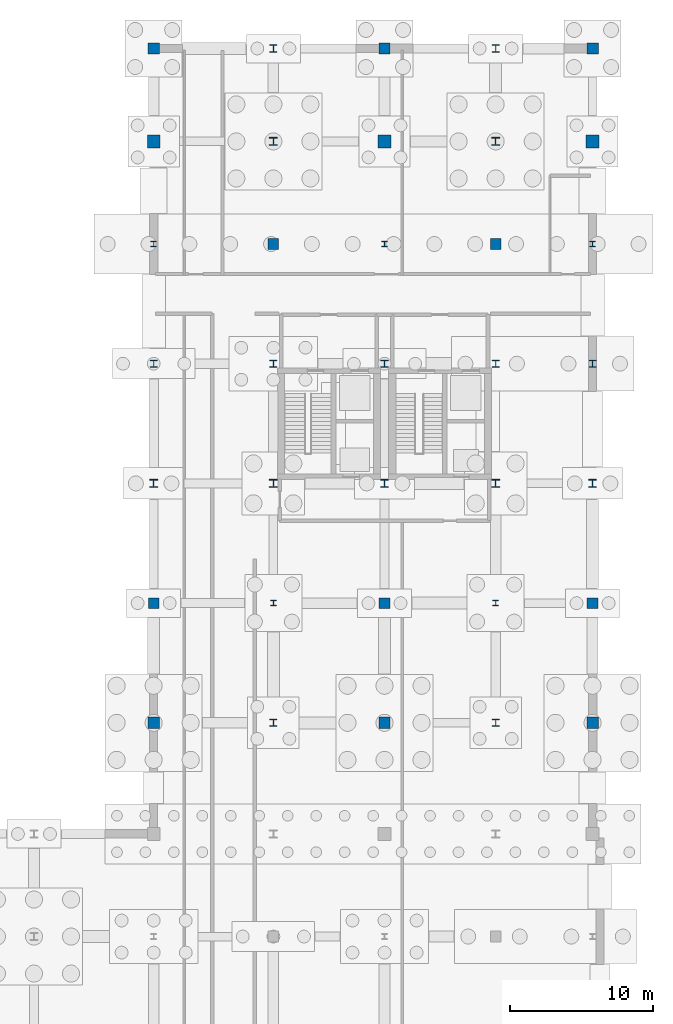
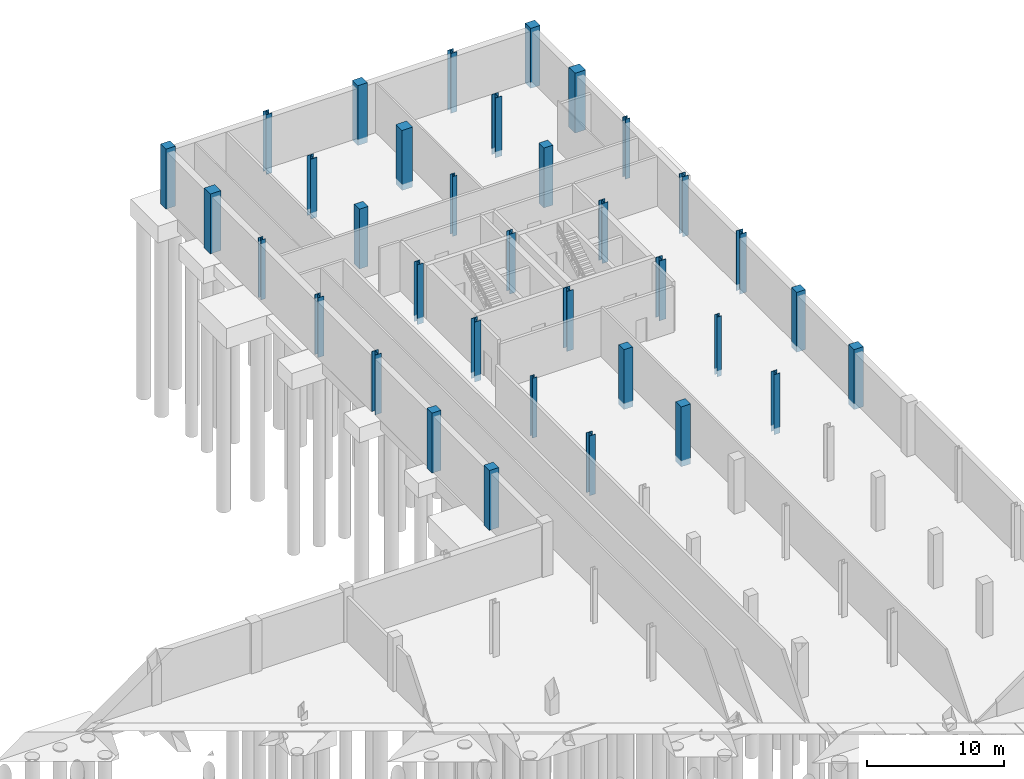
# One storey, part 19 of 32: 35 columns.
"""IFC4 building model written with IfcOpenShell, lengths in metres."""

from ifc_helpers import new_model, si_unit, direction, frame, origin_with_axes, origin_2d_with_axis, place, context, subcontext, project, spatial, rectangle, i_section, extrude, material, material_profile, profile_set, type_object, element, save


model = new_model("IFC4")

# Units and contexts
model_context = context("Model", 3, precision=1e-05, world=origin_with_axes(), true_north=direction((0.0, 1.0)))
body_context = subcontext(model_context, "Body", "Model", "MODEL_VIEW")
ifc_project = project(units=[si_unit("LENGTHUNIT", "METRE"), si_unit("AREAUNIT", "SQUARE_METRE"), si_unit("VOLUMEUNIT", "CUBIC_METRE"), si_unit("PLANEANGLEUNIT", "RADIAN"), si_unit("MASSUNIT", "GRAM", prefix="KILO"), si_unit("THERMODYNAMICTEMPERATUREUNIT", "KELVIN")], contexts=[model_context])

# Site, building, storey
site_placement = place(None, origin_with_axes())
site = spatial("IfcSite", under=ifc_project, at=site_placement, CompositionType="ELEMENT")
building_placement = place(site_placement, origin_with_axes())
building = spatial("IfcBuilding", under=site, at=building_placement, Name="Montbau Bow Law Courts", CompositionType="ELEMENT")
storey_placement = place(building_placement, frame((0.0, 0.0, -4.8), z_axis=(0.0, 0.0, 1.0), x_axis=(1.0, 0.0, 0.0)))
storey = spatial("IfcBuildingStorey", under=building, at=storey_placement, Name="B1", CompositionType="ELEMENT", Elevation=-4.8)

# Columns
ifc_material_1 = material(Name="Concrete CSA A23.1 f'c 45 MPa", Category="concrete")
ifc_material_profile_1 = material_profile(ifc_material_1, rectangle(XDim=0.9, YDim=0.9, at=origin_2d_with_axis()), Name="RC900X900", Category="Main", Priority=0)
ifc_profile_set_1 = profile_set([ifc_material_profile_1], Name="Concrete CSA A23.1 f'c 45 MPa")
column_type_1 = type_object("IfcColumnType", Name="C-RC-01", PredefinedType="COLUMN", material=ifc_profile_set_1)
for number, where, z_axis, x_axis, name in (
    (1, (138.6, 110.4, -5.35), (0.0, 0.0, 1.0), (1.0, 0.0, 0.0), "C-B1-S123:col2_0123"),
    (2, (154.8, 110.4, -5.35), (0.0, 0.0, 1.0), (1.0, 0.0, 0.0), "C-B1-S153:col2_0153"),
    (3, (169.4, 110.4, -5.35), (0.0, 0.0, 1.0), (1.0, 0.0, 0.0), "C-B1-S183:col2_0183"),
):
    element("IfcColumn", number, at=place(None, frame(where, z_axis=z_axis, x_axis=x_axis)), inside=storey, type_object=column_type_1, Name=name, PredefinedType="COLUMN", context=body_context, shape_type="SweptSolid", body=[
        extrude(rectangle(XDim=0.9, YDim=0.9, at=origin_2d_with_axis()), origin_with_axes(), (0.0, 0.0, 1.0), 5.35),
    ])
ifc_material_profile_2 = material_profile(ifc_material_1, rectangle(XDim=0.8, YDim=0.8, at=origin_2d_with_axis()), Name="RC800X800", Category="Main", Priority=0)
ifc_profile_set_2 = profile_set([ifc_material_profile_2], Name="Concrete CSA A23.1 f'c 45 MPa")
column_type_2 = type_object("IfcColumnType", Name="C-RC-02", PredefinedType="COLUMN", material=ifc_profile_set_2)
for number, where, z_axis, x_axis, name in (
    (4, (138.6, 69.6, -5.35), (0.0, 0.0, 1.0), (1.0, 0.0, 0.0), "C-B1-S118:col2_0118"),
    (5, (138.6, 116.92, -5.35), (0.0, 0.0, 1.0), (1.0, 0.0, 0.0), "C-B1-S124:col2_0124"),
    (6, (154.8, 69.6, -5.35), (0.0, 0.0, 1.0), (1.0, 0.0, 0.0), "C-B1-S148:col2_0148"),
    (7, (154.8, 116.92, -5.35), (0.0, 0.0, 1.0), (1.0, 0.0, 0.0), "C-B1-S154:col2_0154"),
    (8, (169.4, 69.6, -5.35), (0.0, 0.0, 1.0), (1.0, 0.0, 0.0), "C-B1-S178:col2_0178"),
    (9, (169.4, 116.92, -5.35), (0.0, 0.0, 1.0), (1.0, 0.0, 0.0), "C-B1-S184:col2_0184"),
):
    element("IfcColumn", number, at=place(None, frame(where, z_axis=z_axis, x_axis=x_axis)), inside=storey, type_object=column_type_2, Name=name, PredefinedType="COLUMN", context=body_context, shape_type="SweptSolid", body=[
        extrude(rectangle(XDim=0.8, YDim=0.8, at=origin_2d_with_axis()), origin_with_axes(), (0.0, 0.0, 1.0), 5.35),
    ])
ifc_material_2 = material(Name="Concrete CSA A23.1 f'c 40 MPa", Category="concrete")
ifc_material_profile_3 = material_profile(ifc_material_2, rectangle(XDim=0.75, YDim=0.75, at=origin_2d_with_axis()), Name="RC750X750", Category="Main", Priority=0)
ifc_profile_set_3 = profile_set([ifc_material_profile_3], Name="Concrete CSA A23.1 f'c 40 MPa")
column_type_3 = type_object("IfcColumnType", Name="C-RC-03", PredefinedType="COLUMN", material=ifc_profile_set_3)
for number, where, z_axis, x_axis, name in (
    (10, (138.6, 78.0, -5.35), (0.0, 0.0, 1.0), (1.0, 0.0, 0.0), "C-B1-S119:col2_0119"),
    (11, (147.0, 103.2, -5.35), (0.0, 0.0, 1.0), (1.0, 0.0, 0.0), "C-B1-S137:col2_0137"),
    (12, (154.8, 78.0, -5.35), (0.0, 0.0, 1.0), (1.0, 0.0, 0.0), "C-B1-S149:col2_0149"),
    (13, (162.6, 103.2, -5.35), (0.0, 0.0, 1.0), (1.0, 0.0, 0.0), "C-B1-S167:col2_0167"),
    (14, (169.4, 78.0, -5.35), (0.0, 0.0, 1.0), (1.0, 0.0, 0.0), "C-B1-S179:col2_0179"),
):
    element("IfcColumn", number, at=place(None, frame(where, z_axis=z_axis, x_axis=x_axis)), inside=storey, type_object=column_type_3, Name=name, PredefinedType="COLUMN", context=body_context, shape_type="SweptSolid", body=[
        extrude(rectangle(XDim=0.75, YDim=0.75, at=origin_2d_with_axis()), origin_with_axes(), (0.0, 0.0, 1.0), 5.35),
    ])
ifc_material_3 = material(Name="Steel CSA G40.21 Grade 350W (350 MPa)", Category="steel")
ifc_material_profile_4 = material_profile(ifc_material_3, i_section(OverallWidth=0.55, OverallDepth=0.55, WebThickness=0.025, FlangeThickness=0.042, at=origin_2d_with_axis()), Name="WWF550X420", Category="Main", Priority=0)
ifc_profile_set_4 = profile_set([ifc_material_profile_4], Name="Steel CSA G40.21 Grade 350W (350 MPa)")
column_type_4 = type_object("IfcColumnType", Name="C-STL-01", PredefinedType="COLUMN", material=ifc_profile_set_4)
for number, where, z_axis, x_axis, name in (
    (15, (138.6, 86.4, -5.35), (0.0, 0.0, 1.0), (1.0, 0.0, 0.0), "C-B1-S120:col2_0120"),
    (16, (147.0, 86.4, -5.35), (0.0, 0.0, 1.0), (1.0, 0.0, 0.0), "C-B1-S135:col2_0135"),
    (17, (147.0, 110.4, -5.35), (0.0, 0.0, 1.0), (1.0, 0.0, 0.0), "C-B1-S138:col2_0138"),
    (18, (154.8, 86.4, -5.35), (0.0, 0.0, 1.0), (1.0, 0.0, 0.0), "C-B1-S150:col2_0150"),
    (19, (162.6, 86.4, -5.35), (0.0, 0.0, 1.0), (1.0, 0.0, 0.0), "C-B1-S165:col2_0165"),
    (20, (162.6, 110.4, -5.35), (0.0, 0.0, 1.0), (1.0, 0.0, 0.0), "C-B1-S168:col2_0168"),
    (21, (169.4, 86.4, -5.35), (0.0, 0.0, 1.0), (1.0, 0.0, 0.0), "C-B1-S180:col2_0180"),
):
    element("IfcColumn", number, at=place(None, frame(where, z_axis=z_axis, x_axis=x_axis)), inside=storey, type_object=column_type_4, Name=name, PredefinedType="COLUMN", context=body_context, shape_type="SweptSolid", body=[
        extrude(i_section(OverallWidth=0.55, OverallDepth=0.55, WebThickness=0.025, FlangeThickness=0.042, at=origin_2d_with_axis()), origin_with_axes(), (0.0, 0.0, 1.0), 5.35),
    ])
ifc_material_profile_5 = material_profile(ifc_material_3, i_section(OverallWidth=0.5, OverallDepth=0.5, WebThickness=0.022, FlangeThickness=0.036, at=origin_2d_with_axis()), Name="WWF500X343", Category="Main", Priority=0)
ifc_profile_set_5 = profile_set([ifc_material_profile_5], Name="Steel CSA G40.21 Grade 350W (350 MPa)")
column_type_5 = type_object("IfcColumnType", Name="C-STL-02", PredefinedType="COLUMN", material=ifc_profile_set_5)
for number, where, z_axis, x_axis, name in (
    (22, (138.6, 94.8, -5.35), (0.0, 0.0, 1.0), (1.0, 0.0, 0.0), "C-B1-S121:col2_0121"),
    (23, (147.0, 69.6, -5.35), (0.0, 0.0, 1.0), (1.0, 0.0, 0.0), "C-B1-S133:col2_0133"),
    (24, (147.0, 94.8, -5.35), (0.0, 0.0, 1.0), (1.0, 0.0, 0.0), "C-B1-S136:col2_0136"),
    (25, (147.0, 116.92, -5.35), (0.0, 0.0, 1.0), (1.0, 0.0, 0.0), "C-B1-S139:col2_0139"),
    (26, (154.8, 94.8, -5.35), (0.0, 0.0, 1.0), (1.0, 0.0, 0.0), "C-B1-S151:col2_0151"),
    (27, (162.6, 69.6, -5.35), (0.0, 0.0, 1.0), (1.0, 0.0, 0.0), "C-B1-S163:col2_0163"),
    (28, (162.6, 94.8, -5.35), (0.0, 0.0, 1.0), (1.0, 0.0, 0.0), "C-B1-S166:col2_0166"),
    (29, (162.6, 116.92, -5.35), (0.0, 0.0, 1.0), (1.0, 0.0, 0.0), "C-B1-S169:col2_0169"),
    (30, (169.4, 94.8, -5.35), (0.0, 0.0, 1.0), (1.0, 0.0, 0.0), "C-B1-S181:col2_0181"),
):
    element("IfcColumn", number, at=place(None, frame(where, z_axis=z_axis, x_axis=x_axis)), inside=storey, type_object=column_type_5, Name=name, PredefinedType="COLUMN", context=body_context, shape_type="SweptSolid", body=[
        extrude(i_section(OverallWidth=0.5, OverallDepth=0.5, WebThickness=0.022, FlangeThickness=0.036, at=origin_2d_with_axis()), origin_with_axes(), (0.0, 0.0, 1.0), 5.35),
    ])
ifc_material_profile_6 = material_profile(ifc_material_3, i_section(OverallWidth=0.395, OverallDepth=0.38, WebThickness=0.0189, FlangeThickness=0.0302, at=origin_2d_with_axis()), Name="W360X237", Category="Main", Priority=0)
ifc_profile_set_6 = profile_set([ifc_material_profile_6], Name="Steel CSA G40.21 Grade 350W (350 MPa)")
column_type_6 = type_object("IfcColumnType", Name="C-STL-03", PredefinedType="COLUMN", material=ifc_profile_set_6)
for number, where, z_axis, x_axis, name in (
    (31, (138.6, 103.2, -5.35), (0.0, 0.0, 1.0), (1.0, 0.0, 0.0), "C-B1-S122:col2_0122"),
    (32, (147.0, 78.0, -5.35), (0.0, 0.0, 1.0), (1.0, 0.0, 0.0), "C-B1-S134:col2_0134"),
    (33, (154.8, 103.2, -5.35), (0.0, 0.0, 1.0), (1.0, 0.0, 0.0), "C-B1-S152:col2_0152"),
    (34, (162.6, 78.0, -5.35), (0.0, 0.0, 1.0), (1.0, 0.0, 0.0), "C-B1-S164:col2_0164"),
    (35, (169.4, 103.2, -5.35), (0.0, 0.0, 1.0), (1.0, 0.0, 0.0), "C-B1-S182:col2_0182"),
):
    element("IfcColumn", number, at=place(None, frame(where, z_axis=z_axis, x_axis=x_axis)), inside=storey, type_object=column_type_6, Name=name, PredefinedType="COLUMN", context=body_context, shape_type="SweptSolid", body=[
        extrude(i_section(OverallWidth=0.395, OverallDepth=0.38, WebThickness=0.0189, FlangeThickness=0.0302, at=origin_2d_with_axis()), origin_with_axes(), (0.0, 0.0, 1.0), 5.35),
    ])

save(model, "model.ifc")
